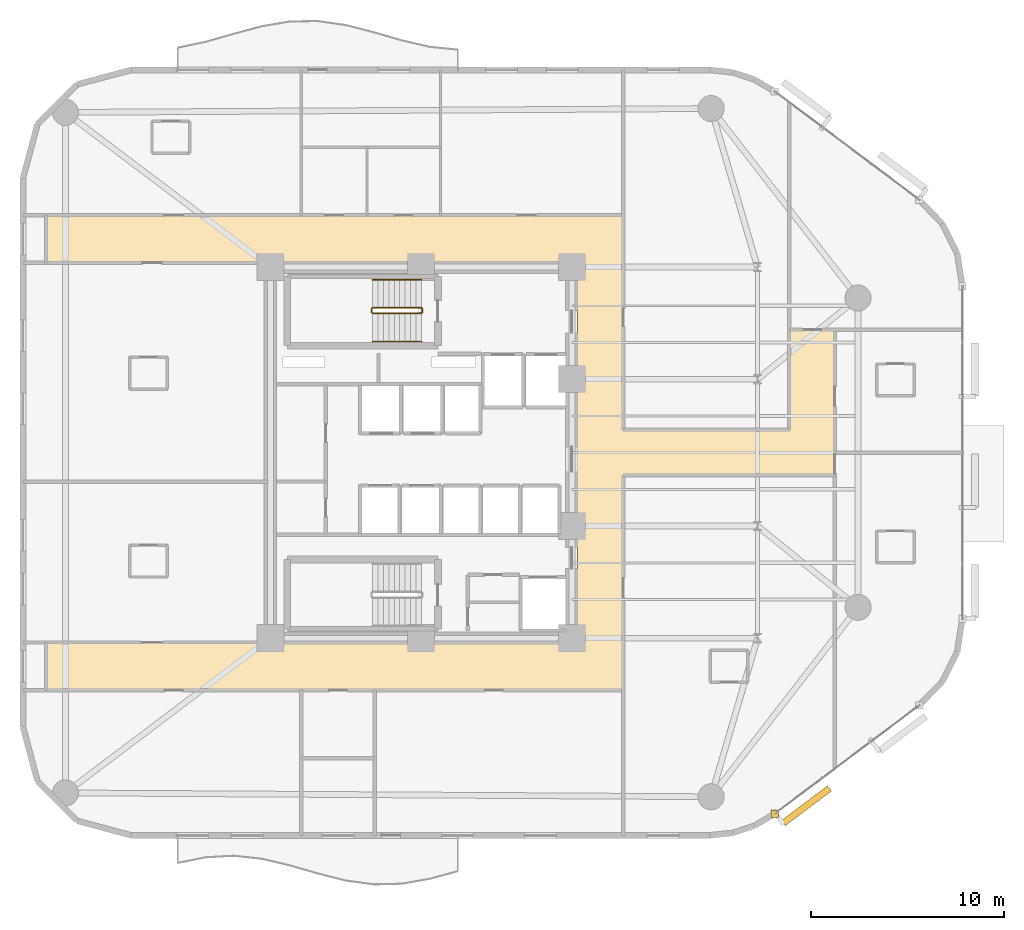
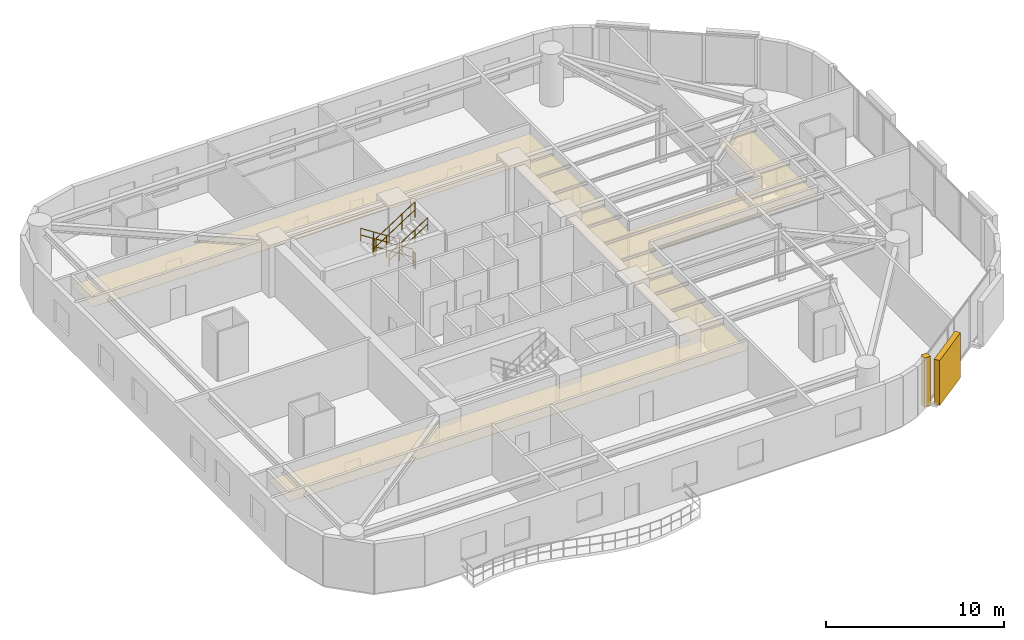
# One storey, part 15 of 16: 6 railings, 2 coverings, 1 shading device.
"""IFC4 building model written with IfcOpenShell, lengths in metres."""

from ifc_helpers import new_model, si_unit, direction, frame, origin, origin_2d, place, context, subcontext, project, spatial, polyline, rectangle, circle, outline, extrude, material, layer, layer_set, type_object, element, save


model = new_model("IFC4")

# Units and contexts
model_context = context("Model", 3, precision=1e-05, world=origin(), true_north=direction((0.0, 1.0)))
body_context = subcontext(model_context, "Body", "Model", "MODEL_VIEW")
ifc_project = project(units=[si_unit("LENGTHUNIT", "METRE"), si_unit("AREAUNIT", "SQUARE_METRE"), si_unit("VOLUMEUNIT", "CUBIC_METRE"), si_unit("PLANEANGLEUNIT", "RADIAN"), si_unit("MASSUNIT", "GRAM", prefix="KILO")], contexts=[model_context])

# Site, building, storey
site_placement = place(None, origin())
site = spatial("IfcSite", under=ifc_project, at=site_placement, CompositionType="ELEMENT")
building_placement = place(site_placement, origin())
building = spatial("IfcBuilding", under=site, at=building_placement, Name="An Khanh Terracotta Commons", CompositionType="ELEMENT")
storey_placement = place(building_placement, frame((0.0, 0.0, 107.89990234375)))
storey = spatial("IfcBuildingStorey", under=building, at=storey_placement, Name="L28", CompositionType="ELEMENT", Elevation=107.89990234375)

# Coverings
ifc_material_1 = material(Name="Perforated Mineral-Fibre Acoustic Tile")
ifc_layer_1 = layer(ifc_material_1, 0.02001953125, Name="Perforated Mineral-Fibre Acoustic Tile")
ifc_layer_set_1 = layer_set([ifc_layer_1], Name="Perforated Mineral-Fibre Acoustic Tile")
covering_type_1 = type_object("IfcCoveringType", Name="CEIL-ACOUSTIC-18", PredefinedType="CEILING", material=ifc_layer_set_1)
covering_1_placement = place(storey_placement, frame((0.0, 0.0, 2.650146484375)))
element("IfcCovering", 1, at=covering_1_placement, inside=storey, type_object=covering_type_1, Name="L28 Corridor Ceiling", PredefinedType="CEILING", context=body_context, shape_type="SweptSolid", body=[
    extrude(outline(polyline([(10.0, 11.719970703125), (10.0, 14.179931640625), (37.5, 14.179931640625), (37.5, 33.820068359375), (10.0, 33.820068359375), (10.0, 36.280029296875), (37.5, 36.280029296875), (39.85009765625, 36.280029296875), (39.85009765625, 33.820068359375), (39.85009765625, 25.179931640625), (48.449951171875, 25.179931640625), (48.449951171875, 30.35009765625), (50.800048828125, 30.35009765625), (50.800048828125, 25.179931640625), (50.800048828125, 22.820068359375), (48.449951171875, 22.820068359375), (39.85009765625, 22.820068359375), (39.85009765625, 14.179931640625), (39.85009765625, 11.719970703125), (37.5, 11.719970703125), (10.0, 11.719970703125)])), origin(), (0.0, 0.0, 1.0), 0.02001953125),
])
ifc_material_2 = material(Name="Fired Terracotta Rainscreen Cladding", Category="masonry")
ifc_layer_2 = layer(ifc_material_2, 0.080078125, Name="Fired Terracotta Rainscreen Cladding")
ifc_layer_set_2 = layer_set([ifc_layer_2], Name="Fired Terracotta Rainscreen Cladding")
covering_type_2 = type_object("IfcCoveringType", Name="COV-JAMB-TERRA", PredefinedType="CLADDING", material=ifc_layer_set_2)
covering_2_placement = place(storey_placement, frame((47.693115234375, 5.320068359375, 0.000244140625), z_axis=(0.0, 0.0, 1.0), x_axis=(1.0, 0.0, 0.0)))
element("IfcCovering", 2, at=covering_2_placement, inside=storey, type_object=covering_type_2, Name="L28 CW-02 Curtain-Wall Jamb Closure JA", PredefinedType="CLADDING", context=body_context, shape_type="SweptSolid", body=[
    extrude(rectangle(XDim=0.3798828125, YDim=0.3798828125, at=origin_2d()), origin(), (0.0, 0.0, 1.0), 3.39990234375),
])

# Railings
ifc_material_3 = material(Name="Brushed Stainless Steel 316", Category="steel")
railing_type_1 = type_object("IfcRailingType", Name="RAIL-HANDRAIL-900", PredefinedType="HANDRAIL", material=ifc_material_3)
railing_1_placement = place(storey_placement, frame((29.409912109375, 32.949951171875, 0.18017578125)))
element("IfcRailing", 3, at=railing_1_placement, inside=storey, type_object=railing_type_1, Name="L28 ST-01 stair handrail 1", PredefinedType="HANDRAIL", context=body_context, shape_type="SweptSolid", body=[
    extrude(circle(Radius=0.02392578125, at=origin_2d()), frame((0.0, 0.0, 0.8759765625), z_axis=(-0.841199657755, 0.0, 0.540724639528), x_axis=(0.0, -1.0, 0.0)), (0.0, 0.0, 1.0), 2.995849609375),
    extrude(circle(Radius=0.02392578125, at=origin_2d()), frame((0.0, 0.0, 0.42578125), z_axis=(-0.841199657755, 0.0, 0.540724639528), x_axis=(0.0, -1.0, 0.0)), (0.0, 0.0, 1.0), 2.995849609375),
    extrude(circle(Radius=0.02099609375, at=origin_2d()), origin(), (0.0, 0.0, 1.0), 0.851806640625),
    extrude(circle(Radius=0.02099609375, at=origin_2d()), frame((-0.840087890625, 0.0, 0.5400390625)), (0.0, 0.0, 1.0), 0.851806640625),
    extrude(circle(Radius=0.02099609375, at=origin_2d()), frame((-1.679931640625, 0.0, 1.079833984375)), (0.0, 0.0, 1.0), 0.851806640625),
    extrude(circle(Radius=0.02099609375, at=origin_2d()), frame((-2.52001953125, 0.0, 1.619873046875)), (0.0, 0.0, 1.0), 0.851806640625),
])
railing_2_placement = place(storey_placement, frame((26.889892578125, 29.75, 1.97998046875)))
element("IfcRailing", 4, at=railing_2_placement, inside=storey, type_object=railing_type_1, Name="L28 ST-01 stair handrail 2", PredefinedType="HANDRAIL", context=body_context, shape_type="SweptSolid", body=[
    extrude(circle(Radius=0.02392578125, at=origin_2d()), frame((0.0, 0.0, 0.8759765625), z_axis=(0.841162588446, 0.0, 0.540782303519), x_axis=(0.0, 1.0, 0.0)), (0.0, 0.0, 1.0), 2.995849609375),
    extrude(circle(Radius=0.02392578125, at=origin_2d()), frame((0.0, 0.0, 0.42578125), z_axis=(0.841162588446, 0.0, 0.540782303519), x_axis=(0.0, 1.0, 0.0)), (0.0, 0.0, 1.0), 2.995849609375),
    extrude(circle(Radius=0.02099609375, at=origin_2d()), origin(), (0.0, 0.0, 1.0), 0.851806640625),
    extrude(circle(Radius=0.02099609375, at=origin_2d()), frame((0.840087890625, 0.0, 0.5400390625)), (0.0, 0.0, 1.0), 0.851806640625),
    extrude(circle(Radius=0.02099609375, at=origin_2d()), frame((1.679931640625, 0.0, 1.080078125)), (0.0, 0.0, 1.0), 0.851806640625),
    extrude(circle(Radius=0.02099609375, at=origin_2d()), frame((2.52001953125, 0.0, 1.6201171875)), (0.0, 0.0, 1.0), 0.851806640625),
])
ifc_material_4 = material(Name="Powder-Coated Steel S355J2", Category="steel")
railing_type_2 = type_object("IfcRailingType", Name="RAIL-STAIR-GUARD-1100", PredefinedType="BALUSTRADE", material=ifc_material_4)
railing_3_placement = place(storey_placement, frame((29.409912109375, 31.5, 0.18017578125)))
element("IfcRailing", 5, at=railing_3_placement, inside=storey, type_object=railing_type_2, Name="L28 ST-01 stair guard 1", PredefinedType="BALUSTRADE", context=body_context, shape_type="SweptSolid", body=[
    extrude(circle(Radius=0.02392578125, at=origin_2d()), frame((0.0, 0.0, 1.076171875), z_axis=(-0.841199657755, 0.0, 0.540724639528), x_axis=(0.0, -1.0, 0.0)), (0.0, 0.0, 1.0), 2.995849609375),
    extrude(circle(Radius=0.02392578125, at=origin_2d()), frame((0.0, 0.0, 0.52587890625), z_axis=(-0.841199657755, 0.0, 0.540724639528), x_axis=(0.0, -1.0, 0.0)), (0.0, 0.0, 1.0), 2.995849609375),
    extrude(circle(Radius=0.02099609375, at=origin_2d()), origin(), (0.0, 0.0, 1.0), 1.052001953125),
    extrude(circle(Radius=0.02099609375, at=origin_2d()), frame((-0.840087890625, 0.0, 0.5400390625)), (0.0, 0.0, 1.0), 1.052001953125),
    extrude(circle(Radius=0.02099609375, at=origin_2d()), frame((-1.679931640625, 0.0, 1.079833984375)), (0.0, 0.0, 1.0), 1.052001953125),
    extrude(circle(Radius=0.02099609375, at=origin_2d()), frame((-2.52001953125, 0.0, 1.619873046875)), (0.0, 0.0, 1.0), 1.052001953125),
])
railing_4_placement = place(storey_placement, frame((26.840087890625, 31.449951171875, 1.800048828125)))
element("IfcRailing", 6, at=railing_4_placement, inside=storey, type_object=railing_type_2, Name="L28 ST-01 stair guard 2", PredefinedType="BALUSTRADE", context=body_context, shape_type="SweptSolid", body=[
    extrude(circle(Radius=0.02392578125, at=origin_2d()), frame((0.0, 0.0, 1.076171875), z_axis=(0.0, -1.0, 0.0), x_axis=(1.0, 0.0, 0.0)), (0.0, 0.0, 1.0), 0.199951171875),
    extrude(circle(Radius=0.02392578125, at=origin_2d()), frame((0.0, 0.0, 0.52587890625), z_axis=(0.0, -1.0, 0.0), x_axis=(1.0, 0.0, 0.0)), (0.0, 0.0, 1.0), 0.199951171875),
    extrude(circle(Radius=0.02099609375, at=origin_2d()), origin(), (0.0, 0.0, 1.0), 1.052001953125),
    extrude(circle(Radius=0.02099609375, at=origin_2d()), frame((0.0, -0.199951171875, 0.0)), (0.0, 0.0, 1.0), 1.052001953125),
])
railing_5_placement = place(storey_placement, frame((26.889892578125, 31.199951171875, 1.97998046875)))
element("IfcRailing", 7, at=railing_5_placement, inside=storey, type_object=railing_type_2, Name="L28 ST-01 stair guard 3", PredefinedType="BALUSTRADE", context=body_context, shape_type="SweptSolid", body=[
    extrude(circle(Radius=0.02392578125, at=origin_2d()), frame((0.0, 0.0, 1.076171875), z_axis=(0.841162588446, 0.0, 0.540782303519), x_axis=(0.0, 1.0, 0.0)), (0.0, 0.0, 1.0), 2.995849609375),
    extrude(circle(Radius=0.02392578125, at=origin_2d()), frame((0.0, 0.0, 0.52587890625), z_axis=(0.841162588446, 0.0, 0.540782303519), x_axis=(0.0, 1.0, 0.0)), (0.0, 0.0, 1.0), 2.995849609375),
    extrude(circle(Radius=0.02099609375, at=origin_2d()), origin(), (0.0, 0.0, 1.0), 1.052001953125),
    extrude(circle(Radius=0.02099609375, at=origin_2d()), frame((0.840087890625, 0.0, 0.5400390625)), (0.0, 0.0, 1.0), 1.052001953125),
    extrude(circle(Radius=0.02099609375, at=origin_2d()), frame((1.679931640625, 0.0, 1.080078125)), (0.0, 0.0, 1.0), 1.052001953125),
    extrude(circle(Radius=0.02099609375, at=origin_2d()), frame((2.52001953125, 0.0, 1.6201171875)), (0.0, 0.0, 1.0), 1.052001953125),
])
railing_6_placement = place(storey_placement, frame((29.4599609375, 31.449951171875, 0.0)))
element("IfcRailing", 8, at=railing_6_placement, inside=storey, type_object=railing_type_2, Name="L28 ST-01 stair guard 4", PredefinedType="BALUSTRADE", context=body_context, shape_type="SweptSolid", body=[
    extrude(circle(Radius=0.02392578125, at=origin_2d()), frame((0.0, 0.0, 1.076171875), z_axis=(0.0, -1.0, 0.0), x_axis=(1.0, 0.0, 0.0)), (0.0, 0.0, 1.0), 0.199951171875),
    extrude(circle(Radius=0.02392578125, at=origin_2d()), frame((0.0, 0.0, 0.52587890625), z_axis=(0.0, -1.0, 0.0), x_axis=(1.0, 0.0, 0.0)), (0.0, 0.0, 1.0), 0.199951171875),
    extrude(circle(Radius=0.02099609375, at=origin_2d()), origin(), (0.0, 0.0, 1.0), 1.052001953125),
    extrude(circle(Radius=0.02099609375, at=origin_2d()), frame((0.0, -0.199951171875, 0.0)), (0.0, 0.0, 1.0), 1.052001953125),
])

# Shading device
ifc_material_5 = material(Name="Extruded Fired Terracotta", Category="masonry")
shading_device_type = type_object("IfcShadingDeviceType", Name="Terracotta Baguette Screen Assembly", PredefinedType="USERDEFINED", material=ifc_material_5)
shading_device_placement = place(storey_placement, frame((49.326904296875, 5.73291015625, 0.150146484375), z_axis=(0.0, 0.0, 1.0), x_axis=(0.800012856594, 0.599982857492, 0.0)))
element("IfcShadingDevice", 9, at=shading_device_placement, inside=storey, type_object=shading_device_type, Name="L28 Terracotta Baguette Screen 1", ObjectType="BAGUETTE", PredefinedType="USERDEFINED", context=body_context, shape_type="SweptSolid", body=[
    extrude(rectangle(XDim=2.990966796875, YDim=0.35009765625, at=origin_2d()), origin(), (0.0, 0.0, 1.0), 3.10009765625),
])

save(model, "model.ifc")
